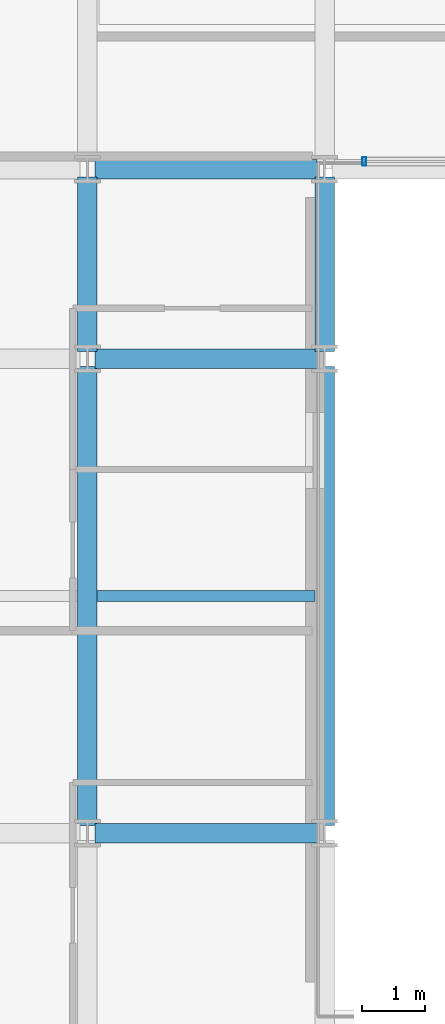
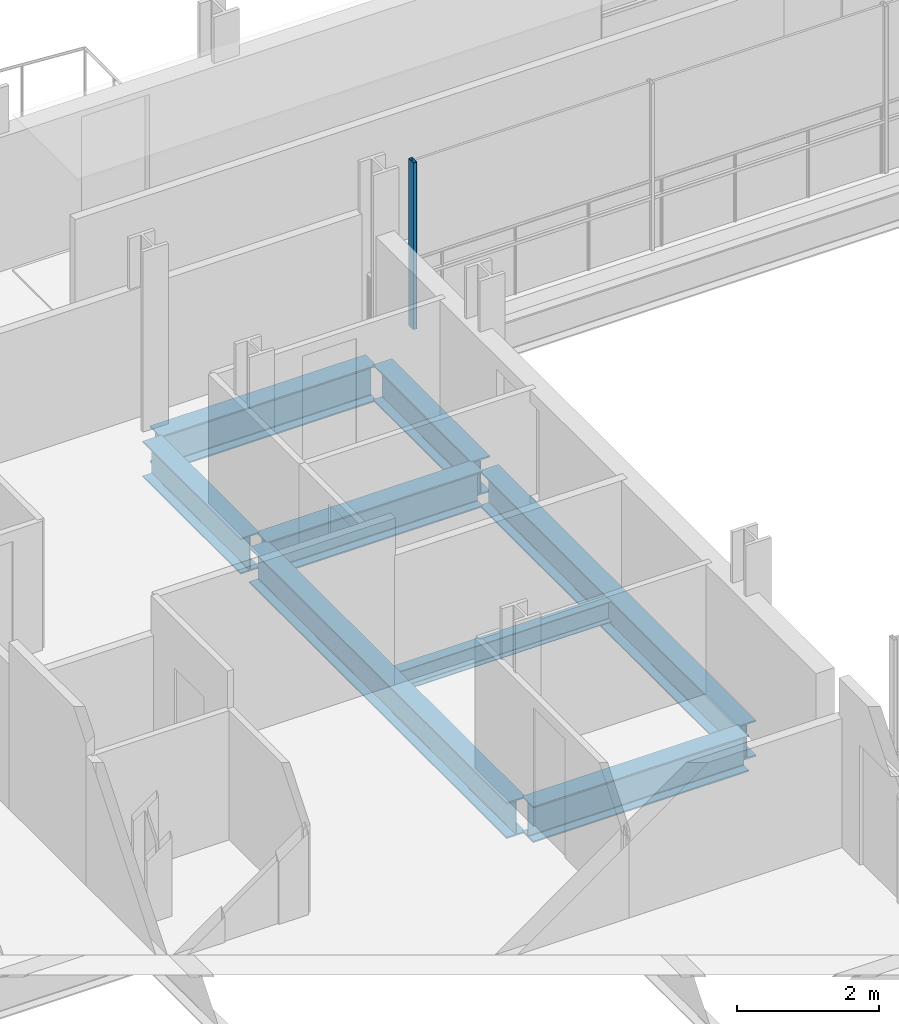
# One storey, part 8 of 39: 8 beams, 1 member, 1 element without a shape of its own.
"""IFC4 building model written with IfcOpenShell, lengths in metres."""

from ifc_helpers import new_model, si_unit, direction, frame, origin, origin_2d, place, context, subcontext, project, spatial, hollow_rectangle, i_section, extrude, material, layer, layer_set, material_profile, profile_set, type_object, element, aggregate, save


model = new_model("IFC4")

# Units and contexts
model_context = context("Model", 3, precision=1e-05, world=origin(), true_north=direction((0.0, 1.0)))
body_context = subcontext(model_context, "Body", "Model", "MODEL_VIEW")
ifc_project = project(units=[si_unit("LENGTHUNIT", "METRE"), si_unit("AREAUNIT", "SQUARE_METRE"), si_unit("VOLUMEUNIT", "CUBIC_METRE"), si_unit("PLANEANGLEUNIT", "RADIAN"), si_unit("MASSUNIT", "GRAM", prefix="KILO")], contexts=[model_context])

# Site, building, storey
site_placement = place(None, origin())
site = spatial("IfcSite", under=ifc_project, at=site_placement, CompositionType="ELEMENT")
building_placement = place(site_placement, origin())
building = spatial("IfcBuilding", under=site, at=building_placement, Name="Brevholm Reach", CompositionType="ELEMENT")
storey_placement = place(building_placement, frame((0.0, 0.0, 77.60009765625)))
storey = spatial("IfcBuildingStorey", under=building, at=storey_placement, Name="L22", CompositionType="ELEMENT", Elevation=77.60009765625)

# Beams
ifc_material_1 = material(Name="Structural Steel S355J2", Category="steel")
ifc_material_profile_1 = material_profile(ifc_material_1, i_section(OverallWidth=0.17138671875, OverallDepth=0.35498046875, WebThickness=0.00732421875, FlangeThickness=0.011474609375, FilletRadius=0.01025390625, at=origin_2d()), Name="UKB 356x171x51")
ifc_profile_set_1 = profile_set([ifc_material_profile_1], Name="Structural Steel S355J2")
beam_type_1 = type_object("IfcBeamType", Name="BM-B356", PredefinedType="BEAM", material=ifc_profile_set_1)
beam_1_placement = place(storey_placement, frame((18.153564453125, 19.75, -0.40771484375), z_axis=(1.0, 0.0, 0.0), x_axis=(0.0, 1.0, 0.0)))
element("IfcBeam", 1, at=beam_1_placement, inside=storey, type_object=beam_type_1, Name="L22 Composite Secondary Floor Beam", PredefinedType="BEAM", context=body_context, shape_type="SweptSolid", body=[
    extrude(i_section(OverallWidth=0.17138671875, OverallDepth=0.35498046875, WebThickness=0.00732421875, FlangeThickness=0.011474609375, FilletRadius=0.01025390625, at=origin_2d()), origin(), (0.0, 0.0, 1.0), 3.44287109375),
])
ifc_material_2 = material(Name="Structural Steel S355J2", Category="steel")
ifc_material_profile_2 = material_profile(ifc_material_2, i_section(OverallWidth=0.30712890625, OverallDepth=0.6201171875, WebThickness=0.01416015625, FlangeThickness=0.023681640625, FilletRadius=0.0166015625, at=origin_2d()), Name="UKB 610x305x179")
ifc_profile_set_2 = profile_set([ifc_material_profile_2], Name="Structural Steel S355J2")
beam_type_2 = type_object("IfcBeamType", Name="BM-UKB610H", PredefinedType="USERDEFINED", material=ifc_profile_set_2)
for number, where, z_axis, x_axis, name in (
    (2, (18.1201171875, 16.0, -0.540283203125), (1.0, 0.0, 0.0), (0.0, 1.0, 0.0), "L22 G-06 Framing Beam"),
    (3, (18.1201171875, 23.5, -0.540283203125), (1.0, 0.0, 0.0), (0.0, 1.0, 0.0), "L22 G-06 Framing Beam"),
    (4, (18.1201171875, 26.5, -0.540283203125), (1.0, 0.0, 0.0), (0.0, 1.0, 0.0), "L22 G-06 Framing Beam"),
):
    element("IfcBeam", number, at=place(storey_placement, frame(where, z_axis=z_axis, x_axis=x_axis)), inside=storey, type_object=beam_type_2, Name=name, ObjectType="GIRDER", PredefinedType="USERDEFINED", context=body_context, shape_type="SweptSolid", body=[
        extrude(i_section(OverallWidth=0.30712890625, OverallDepth=0.6201171875, WebThickness=0.01416015625, FlangeThickness=0.023681640625, FilletRadius=0.0166015625, at=origin_2d()), origin(), (0.0, 0.0, 1.0), 3.509765625),
    ])
beam_2_placement = place(storey_placement, frame((18.0, 16.1201171875, -0.540283203125), z_axis=(0.0, 1.0, 0.0), x_axis=(-1.0, 0.0, 0.0)))
element("IfcBeam", 5, at=beam_2_placement, inside=storey, type_object=beam_type_2, Name="L22 G-06 Framing Beam", ObjectType="GIRDER", PredefinedType="USERDEFINED", context=body_context, shape_type="SweptSolid", body=[
    extrude(i_section(OverallWidth=0.30712890625, OverallDepth=0.6201171875, WebThickness=0.01416015625, FlangeThickness=0.023681640625, FilletRadius=0.0166015625, at=origin_2d()), origin(), (0.0, 0.0, 1.0), 7.259765625),
])
beam_3_placement = place(storey_placement, frame((18.0, 23.6201171875, -0.540283203125), z_axis=(0.0, 1.0, 0.0), x_axis=(-1.0, 0.0, 0.0)))
element("IfcBeam", 6, at=beam_3_placement, inside=storey, type_object=beam_type_2, Name="L22 G-06 Framing Beam", ObjectType="GIRDER", PredefinedType="USERDEFINED", context=body_context, shape_type="SweptSolid", body=[
    extrude(i_section(OverallWidth=0.30712890625, OverallDepth=0.6201171875, WebThickness=0.01416015625, FlangeThickness=0.023681640625, FilletRadius=0.0166015625, at=origin_2d()), origin(), (0.0, 0.0, 1.0), 2.759765625),
])
beam_4_placement = place(storey_placement, frame((21.75, 16.1201171875, -0.540283203125), z_axis=(0.0, 1.0, 0.0), x_axis=(-1.0, 0.0, 0.0)))
element("IfcBeam", 7, at=beam_4_placement, inside=storey, type_object=beam_type_2, Name="L22 G-06 Framing Beam", ObjectType="GIRDER", PredefinedType="USERDEFINED", context=body_context, shape_type="SweptSolid", body=[
    extrude(i_section(OverallWidth=0.30712890625, OverallDepth=0.6201171875, WebThickness=0.01416015625, FlangeThickness=0.023681640625, FilletRadius=0.0166015625, at=origin_2d()), origin(), (0.0, 0.0, 1.0), 7.259765625),
])
beam_5_placement = place(storey_placement, frame((21.75, 23.6201171875, -0.540283203125), z_axis=(0.0, 1.0, 0.0), x_axis=(-1.0, 0.0, 0.0)))
element("IfcBeam", 8, at=beam_5_placement, inside=storey, type_object=beam_type_2, Name="L22 G-06 Framing Beam", ObjectType="GIRDER", PredefinedType="USERDEFINED", context=body_context, shape_type="SweptSolid", body=[
    extrude(i_section(OverallWidth=0.30712890625, OverallDepth=0.6201171875, WebThickness=0.01416015625, FlangeThickness=0.023681640625, FilletRadius=0.0166015625, at=origin_2d()), origin(), (0.0, 0.0, 1.0), 2.759765625),
])

# Curtain wall, member
ifc_material_3 = material(Name="Dark Anodised Aluminium 6063-T6 and Solar-Control Glass", Category="aluminium")
ifc_layer = layer(ifc_material_3, 0.139892578125)
ifc_layer_set = layer_set([ifc_layer], Name="Dark Anodised Aluminium 6063-T6 and Solar-Control Glass")
curtain_wall_type = type_object("IfcCurtainWallType", Name="CW-02", PredefinedType="NOTDEFINED", material=ifc_layer_set)
curtain_wall_placement = place(storey_placement, origin())
curtain_wall = element("IfcCurtainWall", 9, at=curtain_wall_placement, inside=storey, type_object=curtain_wall_type, Name="L22 Curtain Wall CW-02", PredefinedType="NOTDEFINED")
ifc_material_4 = material(Name="Dark Anodised Aluminium 6063-T6", Category="aluminium")
ifc_material_profile_3 = material_profile(ifc_material_4, hollow_rectangle(XDim=0.06005859375, YDim=0.139892578125, WallThickness=0.0048828125, InnerFilletRadius=0.0048828125, OuterFilletRadius=0.010009765625, at=origin_2d()), Name="RHS 140x60x5")
ifc_profile_set_3 = profile_set([ifc_material_profile_3], Name="Dark Anodised Aluminium 6063-T6")
member_type = type_object("IfcMemberType", Name="CWM-140", PredefinedType="MULLION", material=ifc_profile_set_3)
member_placement = place(storey_placement, frame((22.3798828125, 26.6201171875, 0.0), z_axis=(0.0, 0.0, 1.0), x_axis=(-1.0, 0.0, 0.0)))
member = element("IfcMember", 10, at=member_placement, type_object=member_type, Name="CM-140 Mullion 5", PredefinedType="MULLION", context=body_context, shape_type="SweptSolid", body=[
    extrude(hollow_rectangle(XDim=0.06005859375, YDim=0.139892578125, WallThickness=0.0048828125, InnerFilletRadius=0.0048828125, OuterFilletRadius=0.010009765625, at=origin_2d()), origin(), (0.0, 0.0, 1.0), 2.869873046875),
])
aggregate(curtain_wall, [member])

save(model, "model.ifc")
